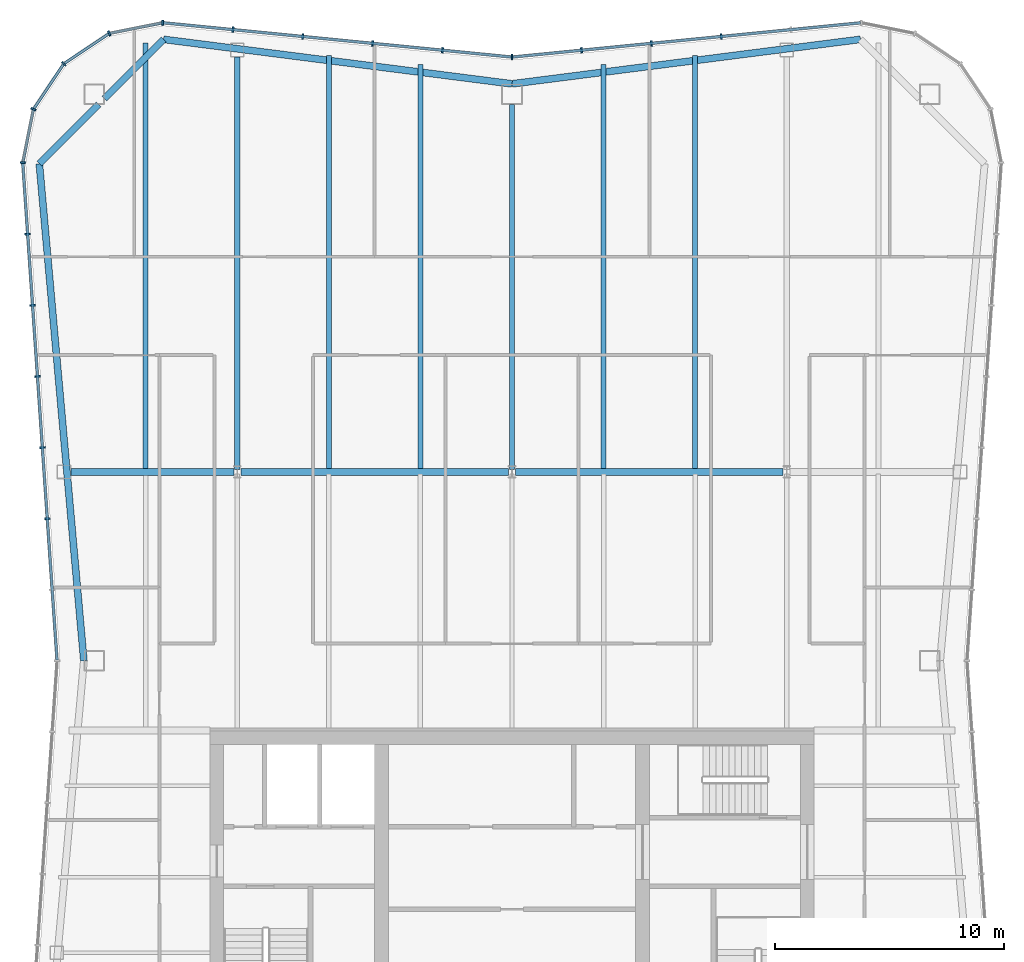
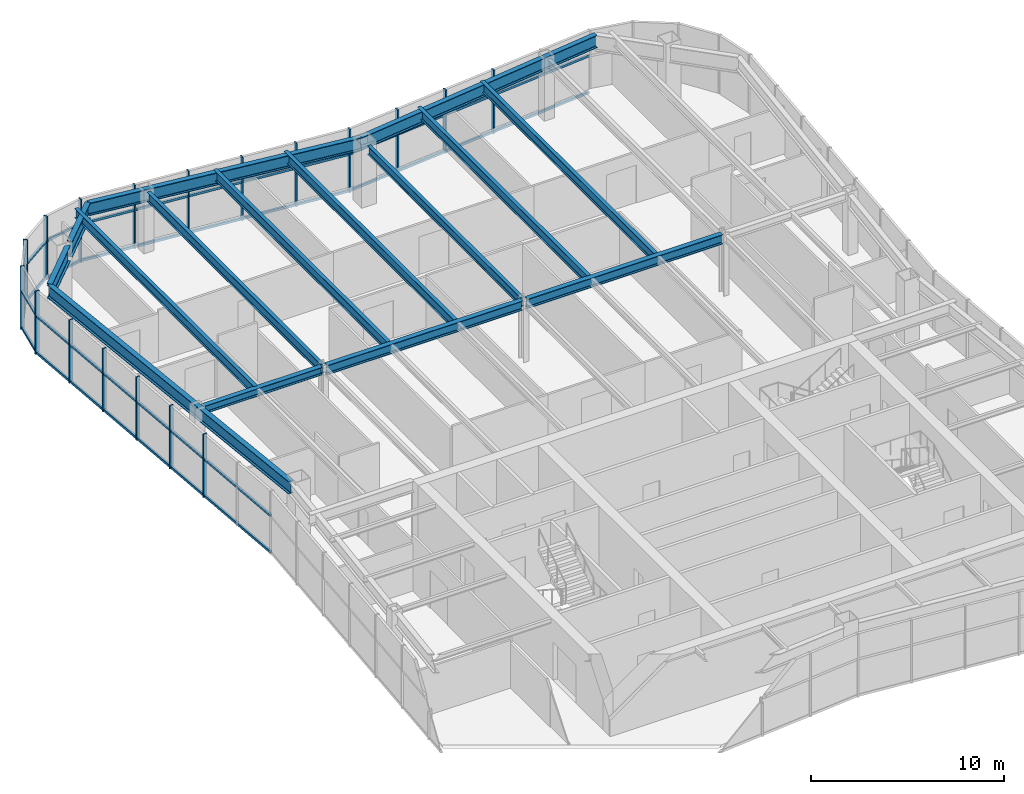
# One storey, part 6 of 13: 32 members, 15 beams, 3 elements without a shape of their own.
"""IFC4 building model written with IfcOpenShell, lengths in metres."""

from ifc_helpers import new_model, si_unit, direction, frame, origin, origin_2d, place, context, subcontext, project, spatial, rectangle, i_section, extrude, material, material_profile, profile_set, type_object, element, aggregate, save


model = new_model("IFC4")

# Units and contexts
model_context = context("Model", 3, precision=1e-05, world=origin(), true_north=direction((0.0, 1.0)))
body_context = subcontext(model_context, "Body", "Model", "MODEL_VIEW")
ifc_project = project(units=[si_unit("LENGTHUNIT", "METRE"), si_unit("AREAUNIT", "SQUARE_METRE"), si_unit("VOLUMEUNIT", "CUBIC_METRE"), si_unit("PLANEANGLEUNIT", "RADIAN"), si_unit("MASSUNIT", "GRAM", prefix="KILO")], contexts=[model_context])

# Site, building, storey
site_placement = place(None, origin())
site = spatial("IfcSite", under=ifc_project, at=site_placement, CompositionType="ELEMENT")
building_placement = place(site_placement, origin())
building = spatial("IfcBuilding", under=site, at=building_placement, Name="Verdant Reach Tower", CompositionType="ELEMENT")
storey_placement = place(building_placement, frame((0.0, 0.0, 364.0)))
storey = spatial("IfcBuildingStorey", under=building, at=storey_placement, Name="L82 Plant", CompositionType="ELEMENT", Elevation=364.0)

# Curtain wall, members
ifc_material_1 = material(Name="Anodised aluminium", Category="aluminium")
curtain_wall_type = type_object("IfcCurtainWallType", Name="EN-CW SYSTEM PLANT", PredefinedType="NOTDEFINED", material=ifc_material_1)
curtain_wall_1_placement = place(storey_placement, origin())
curtain_wall_1 = element("IfcCurtainWall", 1, at=curtain_wall_1_placement, inside=storey, type_object=curtain_wall_type, Name="Curtain wall north, L82", PredefinedType="NOTDEFINED")
ifc_material_profile_1 = material_profile(ifc_material_1, rectangle(XDim=0.238037109375, YDim=0.080078125, at=origin_2d()), Name="Mullion 80x240")
ifc_profile_set_1 = profile_set([ifc_material_profile_1], Name="Anodised aluminium")
member_type_1 = type_object("IfcMemberType", Name="EN-MULLION PLANT", PredefinedType="MULLION", material=ifc_profile_set_1)
member_1_placement = place(storey_placement, frame((9.138427734375, 68.518310546875, -0.35009765625), z_axis=(0.0, 0.0, 1.0), x_axis=(-0.09788826992, 0.995197410875, 0.0)))
member_1 = element("IfcMember", 2, at=member_1_placement, type_object=member_type_1, Name="Mullion north face part 1 3, L82", PredefinedType="MULLION", context=body_context, shape_type="SweptSolid", body=[
    extrude(rectangle(XDim=0.238037109375, YDim=0.080078125, at=origin_2d()), origin(), (0.0, 0.0, 1.0), 4.0),
])
member_2_placement = place(storey_placement, frame((6.08837890625, 68.218505859375, -0.35009765625), z_axis=(0.0, 0.0, 1.0), x_axis=(-0.09788826992, 0.995197410875, 0.0)))
member_2 = element("IfcMember", 3, at=member_2_placement, type_object=member_type_1, Name="Mullion north face part 1 4, L82", PredefinedType="MULLION", context=body_context, shape_type="SweptSolid", body=[
    extrude(rectangle(XDim=0.238037109375, YDim=0.080078125, at=origin_2d()), origin(), (0.0, 0.0, 1.0), 4.0),
])
member_3_placement = place(storey_placement, frame((3.038330078125, 67.91845703125, -0.35009765625), z_axis=(0.0, 0.0, 1.0), x_axis=(-0.09788826992, 0.995197410875, 0.0)))
member_3 = element("IfcMember", 4, at=member_3_placement, type_object=member_type_1, Name="Mullion north face part 1 5, L82", PredefinedType="MULLION", context=body_context, shape_type="SweptSolid", body=[
    extrude(rectangle(XDim=0.238037109375, YDim=0.080078125, at=origin_2d()), origin(), (0.0, 0.0, 1.0), 4.0),
])
member_4_placement = place(storey_placement, frame((0.0, 67.618896484375, -0.35009765625), z_axis=(0.0, 0.0, 1.0), x_axis=(0.0, 1.0, 0.0)))
member_4 = element("IfcMember", 5, at=member_4_placement, type_object=member_type_1, Name="Mullion north face part 2 1, L82", PredefinedType="MULLION", context=body_context, shape_type="SweptSolid", body=[
    extrude(rectangle(XDim=0.238037109375, YDim=0.080078125, at=origin_2d()), origin(), (0.0, 0.0, 1.0), 4.0),
])
member_5_placement = place(storey_placement, frame((-3.038330078125, 67.91845703125, -0.35009765625), z_axis=(0.0, 0.0, 1.0), x_axis=(0.09788826992, 0.995197410875, 0.0)))
member_5 = element("IfcMember", 6, at=member_5_placement, type_object=member_type_1, Name="Mullion north face part 2 2, L82", PredefinedType="MULLION", context=body_context, shape_type="SweptSolid", body=[
    extrude(rectangle(XDim=0.238037109375, YDim=0.080078125, at=origin_2d()), origin(), (0.0, 0.0, 1.0), 4.0),
])
member_6_placement = place(storey_placement, frame((-6.08837890625, 68.218505859375, -0.35009765625), z_axis=(0.0, 0.0, 1.0), x_axis=(0.09788826992, 0.995197410875, 0.0)))
member_6 = element("IfcMember", 7, at=member_6_placement, type_object=member_type_1, Name="Mullion north face part 2 3, L82", PredefinedType="MULLION", context=body_context, shape_type="SweptSolid", body=[
    extrude(rectangle(XDim=0.238037109375, YDim=0.080078125, at=origin_2d()), origin(), (0.0, 0.0, 1.0), 4.0),
])
member_7_placement = place(storey_placement, frame((-9.138427734375, 68.518310546875, -0.35009765625), z_axis=(0.0, 0.0, 1.0), x_axis=(0.09788826992, 0.995197410875, 0.0)))
member_7 = element("IfcMember", 8, at=member_7_placement, type_object=member_type_1, Name="Mullion north face part 2 4, L82", PredefinedType="MULLION", context=body_context, shape_type="SweptSolid", body=[
    extrude(rectangle(XDim=0.238037109375, YDim=0.080078125, at=origin_2d()), origin(), (0.0, 0.0, 1.0), 4.0),
])
member_8_placement = place(storey_placement, frame((-12.188232421875, 68.818359375, -0.35009765625), z_axis=(0.0, 0.0, 1.0), x_axis=(0.09788826992, 0.995197410875, 0.0)))
member_8 = element("IfcMember", 9, at=member_8_placement, type_object=member_type_1, Name="Mullion north face part 2 5, L82", PredefinedType="MULLION", context=body_context, shape_type="SweptSolid", body=[
    extrude(rectangle(XDim=0.238037109375, YDim=0.080078125, at=origin_2d()), origin(), (0.0, 0.0, 1.0), 4.0),
])

curtain_wall_2_placement = place(storey_placement, origin())
curtain_wall_2 = element("IfcCurtainWall", 10, at=curtain_wall_2_placement, inside=storey, type_object=curtain_wall_type, Name="Curtain wall north-west corner, L82", PredefinedType="NOTDEFINED")
member_9_placement = place(storey_placement, frame((-15.255859375, 69.118896484375, -0.35009765625), z_axis=(0.0, 0.0, 1.0), x_axis=(-0.049127596288, 0.998792510626, 0.0)))
member_9 = element("IfcMember", 11, at=member_9_placement, type_object=member_type_1, Name="Mullion north-west corner 1, L82", PredefinedType="MULLION", context=body_context, shape_type="SweptSolid", body=[
    extrude(rectangle(XDim=0.238037109375, YDim=0.080078125, at=origin_2d()), origin(), (0.0, 0.0, 1.0), 4.0),
])
member_10_placement = place(storey_placement, frame((-17.591552734375, 68.6533203125, -0.35009765625), z_axis=(0.0, 0.0, 1.0), x_axis=(-0.382693853776, 0.923875215753, 0.0)))
member_10 = element("IfcMember", 12, at=member_10_placement, type_object=member_type_1, Name="Mullion north-west corner 2, L82", PredefinedType="MULLION", context=body_context, shape_type="SweptSolid", body=[
    extrude(rectangle(XDim=0.238037109375, YDim=0.080078125, at=origin_2d()), origin(), (0.0, 0.0, 1.0), 4.0),
])
member_11_placement = place(storey_placement, frame((-19.57666015625, 67.32666015625, -0.35009765625), z_axis=(0.0, 0.0, 1.0), x_axis=(-0.707106781187, 0.707106781187, 0.0)))
member_11 = element("IfcMember", 13, at=member_11_placement, type_object=member_type_1, Name="Mullion north-west corner 3, L82", PredefinedType="MULLION", context=body_context, shape_type="SweptSolid", body=[
    extrude(rectangle(XDim=0.238037109375, YDim=0.080078125, at=origin_2d()), origin(), (0.0, 0.0, 1.0), 4.0),
])
member_12_placement = place(storey_placement, frame((-20.9033203125, 65.341552734375, -0.35009765625), z_axis=(0.0, 0.0, 1.0), x_axis=(-0.923875215753, 0.382693853776, 0.0)))
member_12 = element("IfcMember", 14, at=member_12_placement, type_object=member_type_1, Name="Mullion north-west corner 4, L82", PredefinedType="MULLION", context=body_context, shape_type="SweptSolid", body=[
    extrude(rectangle(XDim=0.238037109375, YDim=0.080078125, at=origin_2d()), origin(), (0.0, 0.0, 1.0), 4.0),
])

curtain_wall_3_placement = place(storey_placement, origin())
curtain_wall_3 = element("IfcCurtainWall", 15, at=curtain_wall_3_placement, inside=storey, type_object=curtain_wall_type, Name="Curtain wall west, L82", PredefinedType="NOTDEFINED")
member_13_placement = place(storey_placement, frame((-21.36865234375, 63.007568359375, -0.35009765625), z_axis=(0.0, 0.0, 1.0), x_axis=(-0.997969180898, 0.063698618332, 0.0)))
member_13 = element("IfcMember", 16, at=member_13_placement, type_object=member_type_1, Name="Mullion west face part 1 1, L82", PredefinedType="MULLION", context=body_context, shape_type="SweptSolid", body=[
    extrude(rectangle(XDim=0.238037109375, YDim=0.080078125, at=origin_2d()), origin(), (0.0, 0.0, 1.0), 4.0),
])
member_14_placement = place(storey_placement, frame((-21.154541015625, 59.884765625, -0.35009765625), z_axis=(0.0, 0.0, 1.0), x_axis=(-0.997630328423, -0.068802091615, 0.0)))
member_14 = element("IfcMember", 17, at=member_14_placement, type_object=member_type_1, Name="Mullion west face part 1 2, L82", PredefinedType="MULLION", context=body_context, shape_type="SweptSolid", body=[
    extrude(rectangle(XDim=0.238037109375, YDim=0.080078125, at=origin_2d()), origin(), (0.0, 0.0, 1.0), 4.0),
])
member_15_placement = place(storey_placement, frame((-20.940185546875, 56.777587890625, -0.35009765625), z_axis=(0.0, 0.0, 1.0), x_axis=(-0.997630328423, -0.068802091615, 0.0)))
member_15 = element("IfcMember", 18, at=member_15_placement, type_object=member_type_1, Name="Mullion west face part 1 3, L82", PredefinedType="MULLION", context=body_context, shape_type="SweptSolid", body=[
    extrude(rectangle(XDim=0.238037109375, YDim=0.080078125, at=origin_2d()), origin(), (0.0, 0.0, 1.0), 4.0),
])
member_16_placement = place(storey_placement, frame((-20.725830078125, 53.67041015625, -0.35009765625), z_axis=(0.0, 0.0, 1.0), x_axis=(-0.997630328423, -0.068802091615, 0.0)))
member_16 = element("IfcMember", 19, at=member_16_placement, type_object=member_type_1, Name="Mullion west face part 1 4, L82", PredefinedType="MULLION", context=body_context, shape_type="SweptSolid", body=[
    extrude(rectangle(XDim=0.238037109375, YDim=0.080078125, at=origin_2d()), origin(), (0.0, 0.0, 1.0), 4.0),
])
member_17_placement = place(storey_placement, frame((-20.511474609375, 50.563232421875, -0.35009765625), z_axis=(0.0, 0.0, 1.0), x_axis=(-0.997630328423, -0.068802091615, 0.0)))
member_17 = element("IfcMember", 20, at=member_17_placement, type_object=member_type_1, Name="Mullion west face part 1 5, L82", PredefinedType="MULLION", context=body_context, shape_type="SweptSolid", body=[
    extrude(rectangle(XDim=0.238037109375, YDim=0.080078125, at=origin_2d()), origin(), (0.0, 0.0, 1.0), 4.0),
])
member_18_placement = place(storey_placement, frame((-20.29736328125, 47.4560546875, -0.35009765625), z_axis=(0.0, 0.0, 1.0), x_axis=(-0.997630328423, -0.068802091615, 0.0)))
member_18 = element("IfcMember", 21, at=member_18_placement, type_object=member_type_1, Name="Mullion west face part 1 6, L82", PredefinedType="MULLION", context=body_context, shape_type="SweptSolid", body=[
    extrude(rectangle(XDim=0.238037109375, YDim=0.080078125, at=origin_2d()), origin(), (0.0, 0.0, 1.0), 4.0),
])

# Member
ifc_material_profile_2 = material_profile(ifc_material_1, rectangle(XDim=0.1201171875, YDim=0.14990234375, at=origin_2d()), Name="Transom 150x120")
ifc_profile_set_2 = profile_set([ifc_material_profile_2], Name="Anodised aluminium")
member_type_2 = type_object("IfcMemberType", Name="EN-TRANSOM PLANT", PredefinedType="USERDEFINED", material=ifc_profile_set_2)
member_19_placement = place(storey_placement, frame((15.216064453125, 69.114990234375, -0.27490234375), z_axis=(-0.995200989722, -0.097851878144, 0.0), x_axis=(0.097851878144, -0.995200989722, 0.0)))
member_19 = element("IfcMember", 22, at=member_19_placement, type_object=member_type_2, Name="Transom north face part 1 1.1, L82", ObjectType="TRANSOM", PredefinedType="USERDEFINED", context=body_context, shape_type="SweptSolid", body=[
    extrude(rectangle(XDim=0.1201171875, YDim=0.14990234375, at=origin_2d()), origin(), (0.0, 0.0, 1.0), 15.24951171875),
])

member_20_placement = place(storey_placement, frame((15.216064453125, 69.114990234375, 2.050048828125), z_axis=(-0.995200989722, -0.097851878144, 0.0), x_axis=(0.097851878144, -0.995200989722, 0.0)))
member_20 = element("IfcMember", 23, at=member_20_placement, type_object=member_type_2, Name="Transom north face part 1 1.2, L82", ObjectType="TRANSOM", PredefinedType="USERDEFINED", context=body_context, shape_type="SweptSolid", body=[
    extrude(rectangle(XDim=0.1201171875, YDim=0.14990234375, at=origin_2d()), origin(), (0.0, 0.0, 1.0), 15.24951171875),
])

member_21_placement = place(storey_placement, frame((-0.039794921875, 67.622802734375, -0.27490234375), z_axis=(-0.995200989722, 0.097851878144, 0.0), x_axis=(-0.097851878144, -0.995200989722, 0.0)))
member_21 = element("IfcMember", 24, at=member_21_placement, type_object=member_type_2, Name="Transom north face part 2 1.1, L82", ObjectType="TRANSOM", PredefinedType="USERDEFINED", context=body_context, shape_type="SweptSolid", body=[
    extrude(rectangle(XDim=0.1201171875, YDim=0.14990234375, at=origin_2d()), origin(), (0.0, 0.0, 1.0), 15.24951171875),
])

member_22_placement = place(storey_placement, frame((-0.039794921875, 67.622802734375, 2.050048828125), z_axis=(-0.995200989722, 0.097851878144, 0.0), x_axis=(-0.097851878144, -0.995200989722, 0.0)))
member_22 = element("IfcMember", 25, at=member_22_placement, type_object=member_type_2, Name="Transom north face part 2 1.2, L82", ObjectType="TRANSOM", PredefinedType="USERDEFINED", context=body_context, shape_type="SweptSolid", body=[
    extrude(rectangle(XDim=0.1201171875, YDim=0.14990234375, at=origin_2d()), origin(), (0.0, 0.0, 1.0), 15.24951171875),
])

aggregate(curtain_wall_1, [member_1, member_2, member_3, member_19, member_20, member_4, member_5, member_6, member_7, member_8, member_21, member_22])

member_23_placement = place(storey_placement, frame((-15.295166015625, 69.111083984375, -0.27490234375), z_axis=(-0.980706937788, -0.195483764476, 0.0), x_axis=(0.195483764476, -0.980706937788, 0.0)))
member_23 = element("IfcMember", 26, at=member_23_placement, type_object=member_type_2, Name="Transom north-west corner 1.1, L82", ObjectType="TRANSOM", PredefinedType="USERDEFINED", context=body_context, shape_type="SweptSolid", body=[
    extrude(rectangle(XDim=0.1201171875, YDim=0.14990234375, at=origin_2d()), origin(), (0.0, 0.0, 1.0), 2.3017578125),
])

member_24_placement = place(storey_placement, frame((-17.625, 68.631103515625, -0.27490234375), z_axis=(-0.831398626828, -0.5556764556, 0.0), x_axis=(0.5556764556, -0.831398626828, 0.0)))
member_24 = element("IfcMember", 27, at=member_24_placement, type_object=member_type_2, Name="Transom north-west corner 2.1, L82", ObjectType="TRANSOM", PredefinedType="USERDEFINED", context=body_context, shape_type="SweptSolid", body=[
    extrude(rectangle(XDim=0.1201171875, YDim=0.14990234375, at=origin_2d()), origin(), (0.0, 0.0, 1.0), 2.3076171875),
])

member_25_placement = place(storey_placement, frame((-19.598876953125, 67.29345703125, -0.27490234375), z_axis=(-0.5556764556, -0.831398626828, 0.0), x_axis=(0.831398626828, -0.5556764556, 0.0)))
member_25 = element("IfcMember", 28, at=member_25_placement, type_object=member_type_2, Name="Transom north-west corner 3.1, L82", ObjectType="TRANSOM", PredefinedType="USERDEFINED", context=body_context, shape_type="SweptSolid", body=[
    extrude(rectangle(XDim=0.1201171875, YDim=0.14990234375, at=origin_2d()), origin(), (0.0, 0.0, 1.0), 2.3076171875),
])

member_26_placement = place(storey_placement, frame((-20.9111328125, 65.302490234375, -0.27490234375), z_axis=(-0.195524121666, -0.980698892549, 0.0), x_axis=(0.980698892549, -0.195524121666, 0.0)))
member_26 = element("IfcMember", 29, at=member_26_placement, type_object=member_type_2, Name="Transom north-west corner 4.1, L82", ObjectType="TRANSOM", PredefinedType="USERDEFINED", context=body_context, shape_type="SweptSolid", body=[
    extrude(rectangle(XDim=0.1201171875, YDim=0.14990234375, at=origin_2d()), origin(), (0.0, 0.0, 1.0), 2.300048828125),
])

member_27_placement = place(storey_placement, frame((-15.295166015625, 69.111083984375, 2.050048828125), z_axis=(-0.980706937788, -0.195483764476, 0.0), x_axis=(0.195483764476, -0.980706937788, 0.0)))
member_27 = element("IfcMember", 30, at=member_27_placement, type_object=member_type_2, Name="Transom north-west corner 1.2, L82", ObjectType="TRANSOM", PredefinedType="USERDEFINED", context=body_context, shape_type="SweptSolid", body=[
    extrude(rectangle(XDim=0.1201171875, YDim=0.14990234375, at=origin_2d()), origin(), (0.0, 0.0, 1.0), 2.3017578125),
])

member_28_placement = place(storey_placement, frame((-17.625, 68.631103515625, 2.050048828125), z_axis=(-0.831398626828, -0.5556764556, 0.0), x_axis=(0.5556764556, -0.831398626828, 0.0)))
member_28 = element("IfcMember", 31, at=member_28_placement, type_object=member_type_2, Name="Transom north-west corner 2.2, L82", ObjectType="TRANSOM", PredefinedType="USERDEFINED", context=body_context, shape_type="SweptSolid", body=[
    extrude(rectangle(XDim=0.1201171875, YDim=0.14990234375, at=origin_2d()), origin(), (0.0, 0.0, 1.0), 2.3076171875),
])

member_29_placement = place(storey_placement, frame((-19.598876953125, 67.29345703125, 2.050048828125), z_axis=(-0.5556764556, -0.831398626828, 0.0), x_axis=(0.831398626828, -0.5556764556, 0.0)))
member_29 = element("IfcMember", 32, at=member_29_placement, type_object=member_type_2, Name="Transom north-west corner 3.2, L82", ObjectType="TRANSOM", PredefinedType="USERDEFINED", context=body_context, shape_type="SweptSolid", body=[
    extrude(rectangle(XDim=0.1201171875, YDim=0.14990234375, at=origin_2d()), origin(), (0.0, 0.0, 1.0), 2.3076171875),
])

member_30_placement = place(storey_placement, frame((-20.9111328125, 65.302490234375, 2.050048828125), z_axis=(-0.195524121666, -0.980698892549, 0.0), x_axis=(0.980698892549, -0.195524121666, 0.0)))
member_30 = element("IfcMember", 33, at=member_30_placement, type_object=member_type_2, Name="Transom north-west corner 4.2, L82", ObjectType="TRANSOM", PredefinedType="USERDEFINED", context=body_context, shape_type="SweptSolid", body=[
    extrude(rectangle(XDim=0.1201171875, YDim=0.14990234375, at=origin_2d()), origin(), (0.0, 0.0, 1.0), 2.300048828125),
])

aggregate(curtain_wall_2, [member_9, member_10, member_11, member_12, member_23, member_24, member_25, member_26, member_27, member_28, member_29, member_30])

member_31_placement = place(storey_placement, frame((-21.365966796875, 62.9677734375, -0.27490234375), z_axis=(0.068761218296, -0.997633146431, 0.0), x_axis=(0.997633146431, 0.068761218296, 0.0)))
member_31 = element("IfcMember", 34, at=member_31_placement, type_object=member_type_2, Name="Transom west face part 1 1.1, L82", ObjectType="TRANSOM", PredefinedType="USERDEFINED", context=body_context, shape_type="SweptSolid", body=[
    extrude(rectangle(XDim=0.1201171875, YDim=0.14990234375, at=origin_2d()), origin(), (0.0, 0.0, 1.0), 21.7294921875),
])

member_32_placement = place(storey_placement, frame((-21.365966796875, 62.9677734375, 2.050048828125), z_axis=(0.068761218296, -0.997633146431, 0.0), x_axis=(0.997633146431, 0.068761218296, 0.0)))
member_32 = element("IfcMember", 35, at=member_32_placement, type_object=member_type_2, Name="Transom west face part 1 1.2, L82", ObjectType="TRANSOM", PredefinedType="USERDEFINED", context=body_context, shape_type="SweptSolid", body=[
    extrude(rectangle(XDim=0.1201171875, YDim=0.14990234375, at=origin_2d()), origin(), (0.0, 0.0, 1.0), 21.7294921875),
])

aggregate(curtain_wall_3, [member_13, member_14, member_15, member_16, member_17, member_18, member_31, member_32])

# Beams
ifc_material_2 = material(Name="Steel S355", Category="steel")
ifc_material_profile_3 = material_profile(ifc_material_2, i_section(OverallWidth=0.300048828125, OverallDepth=0.489990234375, WebThickness=0.011962890625, FlangeThickness=0.02294921875, FilletRadius=0.027099609375, at=origin_2d()), Name="HEA 500")
ifc_profile_set_3 = profile_set([ifc_material_profile_3], Name="Steel S355")
beam_type_1 = type_object("IfcBeamType", Name="ST-BEAM-HEA500", PredefinedType="BEAM", material=ifc_profile_set_3)
beam_1_placement = place(storey_placement, frame((-19.26904296875, 49.5, 3.60498046875), z_axis=(1.0, 0.0, 0.0), x_axis=(0.0, 1.0, 0.0)))
element("IfcBeam", 36, at=beam_1_placement, inside=storey, type_object=beam_type_1, Name="Row girder, L82 Plant", PredefinedType="BEAM", context=body_context, shape_type="SweptSolid", body=[
    extrude(i_section(OverallWidth=0.300048828125, OverallDepth=0.489990234375, WebThickness=0.011962890625, FlangeThickness=0.02294921875, FilletRadius=0.027099609375, at=origin_2d()), origin(), (0.0, 0.0, 1.0), 7.115966796875),
])
ifc_material_profile_4 = material_profile(ifc_material_2, i_section(OverallWidth=0.300048828125, OverallDepth=0.60009765625, WebThickness=0.015380859375, FlangeThickness=0.030029296875, FilletRadius=0.027099609375, at=origin_2d()), Name="HEB 600")
ifc_profile_set_4 = profile_set([ifc_material_profile_4], Name="Steel S355")
beam_type_2 = type_object("IfcBeamType", Name="ST-BEAM-HEB600", PredefinedType="BEAM", material=ifc_profile_set_4)
for number, where, z_axis, x_axis, name in (
    (37, (-11.846923828125, 49.5, 3.550048828125), (1.0, 0.0, 0.0), (0.0, 1.0, 0.0), "Row girder, L82 Plant"),
    (38, (0.153076171875, 49.5, 3.550048828125), (1.0, 0.0, 0.0), (0.0, 1.0, 0.0), "Row girder, L82 Plant"),
):
    element("IfcBeam", number, at=place(storey_placement, frame(where, z_axis=z_axis, x_axis=x_axis)), inside=storey, type_object=beam_type_2, Name=name, PredefinedType="BEAM", context=body_context, shape_type="SweptSolid", body=[
        extrude(i_section(OverallWidth=0.300048828125, OverallDepth=0.60009765625, WebThickness=0.015380859375, FlangeThickness=0.030029296875, FilletRadius=0.027099609375, at=origin_2d()), origin(), (0.0, 0.0, 1.0), 11.69384765625),
    ])
ifc_material_profile_5 = material_profile(ifc_material_2, i_section(OverallWidth=0.2099609375, OverallDepth=0.550048828125, WebThickness=0.010986328125, FlangeThickness=0.01708984375, FilletRadius=0.02392578125, at=origin_2d()), Name="IPE 550")
ifc_profile_set_5 = profile_set([ifc_material_profile_5], Name="Steel S355")
beam_type_3 = type_object("IfcBeamType", Name="ST-JOIST-IPE550", PredefinedType="JOIST", material=ifc_profile_set_5)
beam_2_placement = place(storey_placement, frame((0.0, 49.60009765625, 3.574951171875), z_axis=(0.0, 1.0, 0.0), x_axis=(-1.0, 0.0, 0.0)))
element("IfcBeam", 39, at=beam_2_placement, inside=storey, type_object=beam_type_3, Name="Floor joist, L82 Plant", PredefinedType="JOIST", context=body_context, shape_type="SweptSolid", body=[
    extrude(i_section(OverallWidth=0.2099609375, OverallDepth=0.550048828125, WebThickness=0.010986328125, FlangeThickness=0.01708984375, FilletRadius=0.02392578125, at=origin_2d()), origin(), (0.0, 0.0, 1.0), 15.949951171875),
])
ifc_material_profile_6 = material_profile(ifc_material_2, i_section(OverallWidth=0.219970703125, OverallDepth=0.60009765625, WebThickness=0.011962890625, FlangeThickness=0.01904296875, FilletRadius=0.02392578125, at=origin_2d()), Name="IPE 600")
ifc_profile_set_6 = profile_set([ifc_material_profile_6], Name="Steel S355")
beam_type_4 = type_object("IfcBeamType", Name="ST-JOIST-IPE600", PredefinedType="JOIST", material=ifc_profile_set_6)
beam_3_placement = place(storey_placement, frame((-16.0, 49.60009765625, 3.550048828125), z_axis=(0.0, 1.0, 0.0), x_axis=(-1.0, 0.0, 0.0)))
element("IfcBeam", 40, at=beam_3_placement, inside=storey, type_object=beam_type_4, Name="Floor joist, L82 Plant", PredefinedType="JOIST", context=body_context, shape_type="SweptSolid", body=[
    extrude(i_section(OverallWidth=0.219970703125, OverallDepth=0.60009765625, WebThickness=0.011962890625, FlangeThickness=0.01904296875, FilletRadius=0.02392578125, at=origin_2d()), origin(), (0.0, 0.0, 1.0), 18.638916015625),
])
beam_4_placement = place(storey_placement, frame((-12.0, 49.60009765625, 3.550048828125), z_axis=(0.0, 1.0, 0.0), x_axis=(-1.0, 0.0, 0.0)))
element("IfcBeam", 41, at=beam_4_placement, inside=storey, type_object=beam_type_4, Name="Floor joist, L82 Plant", PredefinedType="JOIST", context=body_context, shape_type="SweptSolid", body=[
    extrude(i_section(OverallWidth=0.219970703125, OverallDepth=0.60009765625, WebThickness=0.011962890625, FlangeThickness=0.01904296875, FilletRadius=0.02392578125, at=origin_2d()), origin(), (0.0, 0.0, 1.0), 18.0302734375),
])
beam_5_placement = place(storey_placement, frame((-8.0, 49.60009765625, 3.550048828125), z_axis=(0.0, 1.0, 0.0), x_axis=(-1.0, 0.0, 0.0)))
element("IfcBeam", 42, at=beam_5_placement, inside=storey, type_object=beam_type_4, Name="Floor joist, L82 Plant", PredefinedType="JOIST", context=body_context, shape_type="SweptSolid", body=[
    extrude(i_section(OverallWidth=0.219970703125, OverallDepth=0.60009765625, WebThickness=0.011962890625, FlangeThickness=0.01904296875, FilletRadius=0.02392578125, at=origin_2d()), origin(), (0.0, 0.0, 1.0), 18.083984375),
])
for number, where, z_axis, x_axis, name in (
    (43, (-4.0, 49.60009765625, 3.550048828125), (0.0, 1.0, 0.0), (-1.0, 0.0, 0.0), "Floor joist, L82 Plant"),
    (44, (4.0, 49.60009765625, 3.550048828125), (0.0, 1.0, 0.0), (-1.0, 0.0, 0.0), "Floor joist, L82 Plant"),
):
    element("IfcBeam", number, at=place(storey_placement, frame(where, z_axis=z_axis, x_axis=x_axis)), inside=storey, type_object=beam_type_4, Name=name, PredefinedType="JOIST", context=body_context, shape_type="SweptSolid", body=[
        extrude(i_section(OverallWidth=0.219970703125, OverallDepth=0.60009765625, WebThickness=0.011962890625, FlangeThickness=0.01904296875, FilletRadius=0.02392578125, at=origin_2d()), origin(), (0.0, 0.0, 1.0), 17.6904296875),
    ])
beam_6_placement = place(storey_placement, frame((8.0, 49.60009765625, 3.550048828125), z_axis=(0.0, 1.0, 0.0), x_axis=(-1.0, 0.0, 0.0)))
element("IfcBeam", 45, at=beam_6_placement, inside=storey, type_object=beam_type_4, Name="Floor joist, L82 Plant", PredefinedType="JOIST", context=body_context, shape_type="SweptSolid", body=[
    extrude(i_section(OverallWidth=0.219970703125, OverallDepth=0.60009765625, WebThickness=0.011962890625, FlangeThickness=0.01904296875, FilletRadius=0.02392578125, at=origin_2d()), origin(), (0.0, 0.0, 1.0), 18.083984375),
])
ifc_material_profile_7 = material_profile(ifc_material_2, i_section(OverallWidth=0.300048828125, OverallDepth=0.800048828125, WebThickness=0.017578125, FlangeThickness=0.032958984375, FilletRadius=0.030029296875, at=origin_2d()), Name="HEB 800")
ifc_profile_set_7 = profile_set([ifc_material_profile_7], Name="Steel S355")
beam_type_5 = type_object("IfcBeamType", Name="ST-SPANDREL-HEB800", PredefinedType="SPANDREL", material=ifc_profile_set_7)
beam_7_placement = place(storey_placement, frame((-18.699951171875, 41.25, 3.449951171875), z_axis=(-0.089274399498, 0.996007069048, 0.0), x_axis=(-0.996007069048, -0.089274399498, 0.0)))
element("IfcBeam", 46, at=beam_7_placement, inside=storey, type_object=beam_type_5, Name="Edge beam, L82 Plant", PredefinedType="SPANDREL", context=body_context, shape_type="SweptSolid", body=[
    extrude(i_section(OverallWidth=0.300048828125, OverallDepth=0.800048828125, WebThickness=0.017578125, FlangeThickness=0.032958984375, FilletRadius=0.030029296875, at=origin_2d()), origin(), (0.0, 0.0, 1.0), 21.798583984375),
])
for number, where, z_axis, x_axis, name in (
    (47, (-15.22021484375, 68.394287109375, 3.449951171875), (0.991938889669, -0.126717162063, 0.0), (0.126717162063, 0.991938889669, 0.0), "Edge beam, L82 Plant"),
    (48, (0.0, 66.449951171875, 3.449951171875), (0.991938889669, 0.126717162063, 0.0), (-0.126717162063, 0.991938889669, 0.0), "Edge beam, L82 Plant"),
):
    element("IfcBeam", number, at=place(storey_placement, frame(where, z_axis=z_axis, x_axis=x_axis)), inside=storey, type_object=beam_type_5, Name=name, PredefinedType="SPANDREL", context=body_context, shape_type="SweptSolid", body=[
        extrude(i_section(OverallWidth=0.300048828125, OverallDepth=0.800048828125, WebThickness=0.017578125, FlangeThickness=0.032958984375, FilletRadius=0.030029296875, at=origin_2d()), origin(), (0.0, 0.0, 1.0), 15.343994140625),
    ])
ifc_material_profile_8 = material_profile(ifc_material_2, i_section(OverallWidth=0.302001953125, OverallDepth=1.008056640625, WebThickness=0.02099609375, FlangeThickness=0.0400390625, FilletRadius=0.030029296875, at=origin_2d()), Name="HEM 1000")
ifc_profile_set_8 = profile_set([ifc_material_profile_8], Name="Steel S355")
beam_type_6 = type_object("IfcBeamType", Name="ST-SPANDREL-HEM1000", PredefinedType="SPANDREL", material=ifc_profile_set_8)
beam_8_placement = place(storey_placement, frame((-20.64599609375, 62.96142578125, 3.345947265625), z_axis=(0.706639493403, 0.707573760369, 0.0), x_axis=(-0.707573760369, 0.706639493403, 0.0)))
element("IfcBeam", 49, at=beam_8_placement, inside=storey, type_object=beam_type_6, Name="Edge beam, L82 Plant", PredefinedType="SPANDREL", context=body_context, shape_type="SweptSolid", body=[
    extrude(i_section(OverallWidth=0.302001953125, OverallDepth=1.008056640625, WebThickness=0.02099609375, FlangeThickness=0.0400390625, FilletRadius=0.030029296875, at=origin_2d()), origin(), (0.0, 0.0, 1.0), 3.658447265625),
])
beam_9_placement = place(storey_placement, frame((-17.800048828125, 65.81103515625, 3.345947265625), z_axis=(0.706638520854, 0.707574731632, 0.0), x_axis=(-0.707574731632, 0.706638520854, 0.0)))
element("IfcBeam", 50, at=beam_9_placement, inside=storey, type_object=beam_type_6, Name="Edge beam, L82 Plant", PredefinedType="SPANDREL", context=body_context, shape_type="SweptSolid", body=[
    extrude(i_section(OverallWidth=0.302001953125, OverallDepth=1.008056640625, WebThickness=0.02099609375, FlangeThickness=0.0400390625, FilletRadius=0.030029296875, at=origin_2d()), origin(), (0.0, 0.0, 1.0), 3.65087890625),
])

save(model, "model.ifc")
